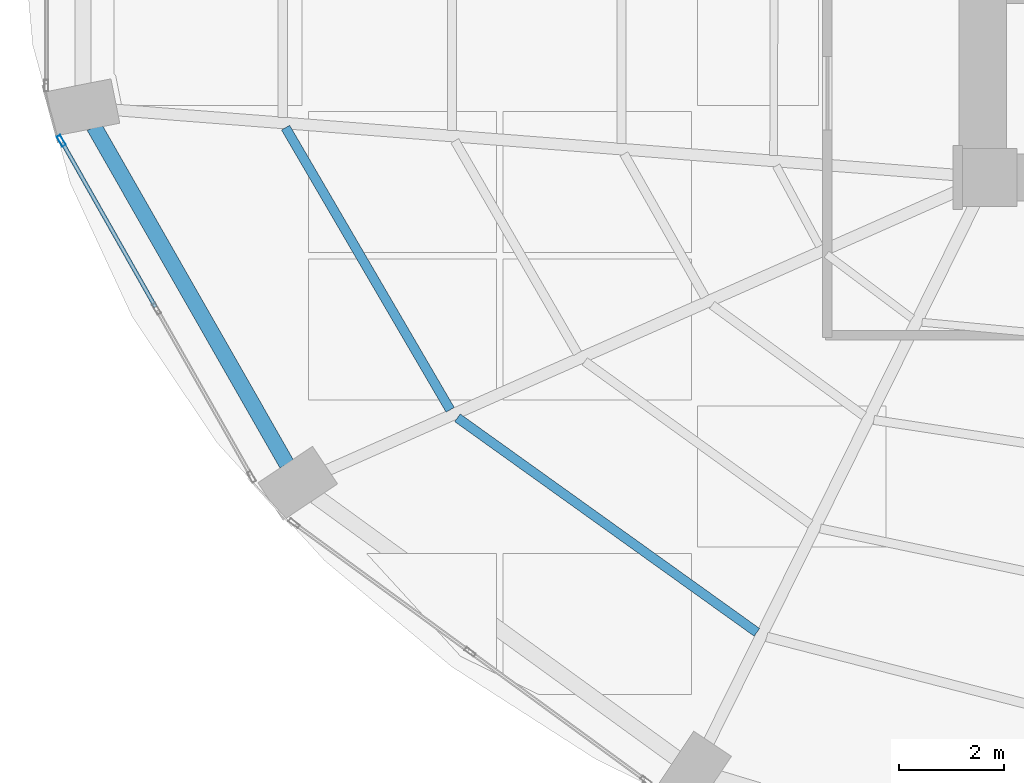
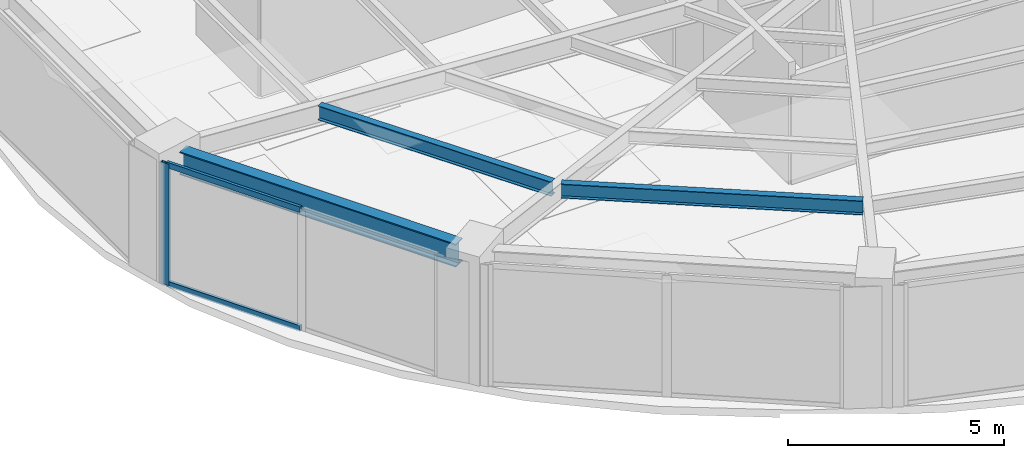
# One storey, part 3 of 25: 3 beams, 3 members, 1 element without a shape of its own.
"""IFC4 building model written with IfcOpenShell, lengths in metres."""

from ifc_helpers import new_model, si_unit, direction, frame, origin, origin_2d, place, context, subcontext, project, spatial, hollow_rectangle, i_section, extrude, material, layer, layer_set, material_profile, profile_set, type_object, element, aggregate, save


model = new_model("IFC4")

# Units and contexts
model_context = context("Model", 3, precision=1e-05, world=origin(), true_north=direction((0.0, 1.0)))
body_context = subcontext(model_context, "Body", "Model", "MODEL_VIEW")
ifc_project = project(units=[si_unit("LENGTHUNIT", "METRE"), si_unit("AREAUNIT", "SQUARE_METRE"), si_unit("VOLUMEUNIT", "CUBIC_METRE"), si_unit("PLANEANGLEUNIT", "RADIAN"), si_unit("MASSUNIT", "GRAM", prefix="KILO")], contexts=[model_context])

# Site, building, storey
site_placement = place(None, origin())
site = spatial("IfcSite", under=ifc_project, at=site_placement, CompositionType="ELEMENT")
building_placement = place(site_placement, origin())
building = spatial("IfcBuilding", under=site, at=building_placement, Name="Lazwardi Medical Tower", CompositionType="ELEMENT")
storey_placement = place(building_placement, frame((0.0, 0.0, 50.736083984375)))
storey = spatial("IfcBuildingStorey", under=building, at=storey_placement, Name="L12", CompositionType="ELEMENT", Elevation=50.736083984375)

# Beams
ifc_material_1 = material(Name="Steel S355", Category="steel")
ifc_material_profile_1 = material_profile(ifc_material_1, i_section(OverallWidth=0.300048828125, OverallDepth=0.64990234375, WebThickness=0.01611328125, FlangeThickness=0.031005859375, at=origin_2d()), Name="HEB 650")
ifc_profile_set_1 = profile_set([ifc_material_profile_1], Name="Steel S355")
beam_type_1 = type_object("IfcBeamType", Name="BM-RB-Z1", PredefinedType="BEAM", material=ifc_profile_set_1)
beam_1_placement = place(storey_placement, frame((9.408203125, 21.36767578125, 3.10302734375), z_axis=(0.49581512241, -0.868428099724, 0.0), x_axis=(0.868428099724, 0.49581512241, 0.0)))
element("IfcBeam", 1, at=beam_1_placement, inside=storey, type_object=beam_type_1, Name="Ring beam RB-02 B13 L12", PredefinedType="BEAM", context=body_context, shape_type="SweptSolid", body=[
    extrude(i_section(OverallWidth=0.300048828125, OverallDepth=0.64990234375, WebThickness=0.01611328125, FlangeThickness=0.031005859375, at=origin_2d()), origin(), (0.0, 0.0, 1.0), 7.389404296875),
])
ifc_material_profile_2 = material_profile(ifc_material_1, i_section(OverallWidth=0.179931640625, OverallDepth=0.39990234375, WebThickness=0.008544921875, FlangeThickness=0.013427734375, at=origin_2d()), Name="IPE 400")
ifc_profile_set_2 = profile_set([ifc_material_profile_2], Name="Steel S355")
beam_type_2 = type_object("IfcBeamType", Name="BM-SJ-01", PredefinedType="JOIST", material=ifc_profile_set_2)
beam_2_placement = place(storey_placement, frame((13.048828125, 21.34765625, 3.22802734375), z_axis=(0.503846579557, -0.863793160582, 0.0), x_axis=(0.863793160582, 0.503846579557, 0.0)))
element("IfcBeam", 2, at=beam_2_placement, inside=storey, type_object=beam_type_2, Name="Secondary joist SJ-01 R1 B13 L12", PredefinedType="JOIST", context=body_context, shape_type="SweptSolid", body=[
    extrude(i_section(OverallWidth=0.179931640625, OverallDepth=0.39990234375, WebThickness=0.008544921875, FlangeThickness=0.013427734375, at=origin_2d()), origin(), (0.0, 0.0, 1.0), 6.20947265625),
])
beam_3_placement = place(storey_placement, frame((16.31591796875, 15.83203125, 3.22802734375), z_axis=(0.812901036873, -0.582401840872, 0.0), x_axis=(0.582401840872, 0.812901036873, 0.0)))
element("IfcBeam", 3, at=beam_3_placement, inside=storey, type_object=beam_type_2, Name="Secondary joist SJ-01 R1 B14 L12", PredefinedType="JOIST", context=body_context, shape_type="SweptSolid", body=[
    extrude(i_section(OverallWidth=0.179931640625, OverallDepth=0.39990234375, WebThickness=0.008544921875, FlangeThickness=0.013427734375, at=origin_2d()), origin(), (0.0, 0.0, 1.0), 7.002197265625),
])

# Curtain wall, members
ifc_material_2 = material(Name="Anodised bronze aluminium and solar control glazing", Category="aluminium")
ifc_layer = layer(ifc_material_2, 0.199951171875)
ifc_layer_set = layer_set([ifc_layer], Name="Anodised bronze aluminium and solar control glazing")
curtain_wall_type = type_object("IfcCurtainWallType", Name="CW-SYS-02", PredefinedType="NOTDEFINED", material=ifc_layer_set)
curtain_wall_placement = place(storey_placement, origin())
curtain_wall = element("IfcCurtainWall", 4, at=curtain_wall_placement, inside=storey, type_object=curtain_wall_type, Name="L12 Unitised bronze curtain wall CW-02", PredefinedType="NOTDEFINED")
ifc_material_3 = material(Name="Anodised bronze aluminium", Category="aluminium")
ifc_material_profile_3 = material_profile(ifc_material_3, hollow_rectangle(XDim=0.074951171875, YDim=0.219970703125, WallThickness=0.00390625, at=origin_2d()), Name="ALU-MULLION 220x75x4")
ifc_profile_set_3 = profile_set([ifc_material_profile_3], Name="Anodised bronze aluminium")
member_type_1 = type_object("IfcMemberType", Name="CW-MUL-01", PredefinedType="MULLION", material=ifc_profile_set_3)
member_1_placement = place(storey_placement, frame((8.785888671875, 21.09765625, 0.0), z_axis=(0.0, 0.0, 1.0), x_axis=(0.870111838823, 0.492854327303, 0.0)))
member_1 = element("IfcMember", 5, at=member_1_placement, type_object=member_type_1, Name="CW-02 mullion 1", PredefinedType="MULLION", context=body_context, shape_type="SweptSolid", body=[
    extrude(hollow_rectangle(XDim=0.074951171875, YDim=0.219970703125, WallThickness=0.00390625, at=origin_2d()), origin(), (0.0, 0.0, 1.0), 3.427978515625),
])
ifc_material_profile_4 = material_profile(ifc_material_3, hollow_rectangle(XDim=0.074951171875, YDim=0.159912109375, WallThickness=0.00390625, at=origin_2d()), Name="ALU-TRANSOM 160x75x4")
ifc_profile_set_4 = profile_set([ifc_material_profile_4], Name="Anodised bronze aluminium")
member_type_2 = type_object("IfcMemberType", Name="CW-TRN-01", PredefinedType="USERDEFINED", material=ifc_profile_set_4)
member_2_placement = place(storey_placement, frame((8.804443359375, 21.06494140625, 0.037353515625), z_axis=(0.492880614687, -0.870096948429, 0.0), x_axis=(0.870096948429, 0.492880614687, 0.0)))
member_2 = element("IfcMember", 6, at=member_2_placement, type_object=member_type_2, Name="CW-02 transom 1.1", ObjectType="TRANSOM", PredefinedType="USERDEFINED", context=body_context, shape_type="SweptSolid", body=[
    extrude(hollow_rectangle(XDim=0.074951171875, YDim=0.159912109375, WallThickness=0.00390625, at=origin_2d()), origin(), (0.0, 0.0, 1.0), 3.5947265625),
])
member_3_placement = place(storey_placement, frame((8.804443359375, 21.06494140625, 3.390380859375), z_axis=(0.492880614687, -0.870096948429, 0.0), x_axis=(0.870096948429, 0.492880614687, 0.0)))
member_3 = element("IfcMember", 7, at=member_3_placement, type_object=member_type_2, Name="CW-02 transom 1.2", ObjectType="TRANSOM", PredefinedType="USERDEFINED", context=body_context, shape_type="SweptSolid", body=[
    extrude(hollow_rectangle(XDim=0.074951171875, YDim=0.159912109375, WallThickness=0.00390625, at=origin_2d()), origin(), (0.0, 0.0, 1.0), 3.5947265625),
])
aggregate(curtain_wall, [member_1, member_2, member_3])

save(model, "model.ifc")
